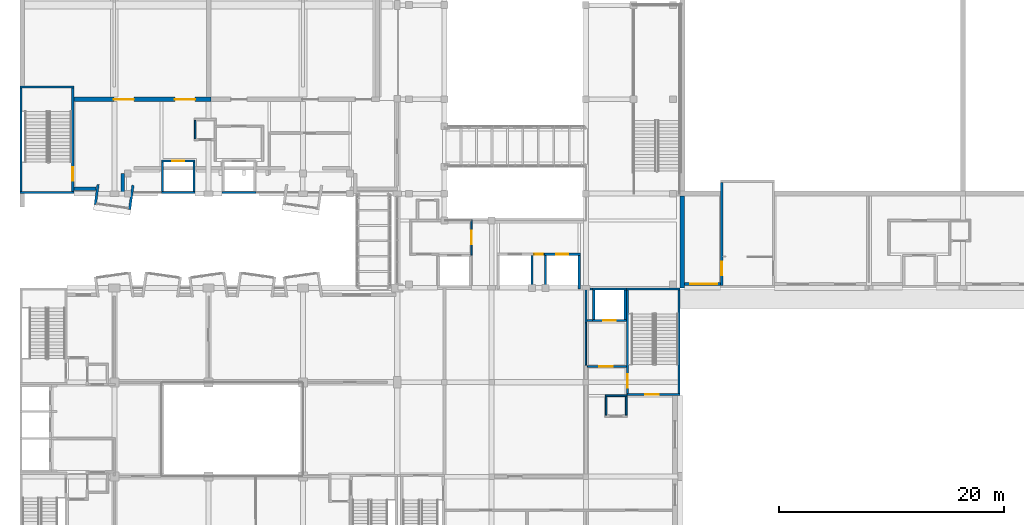
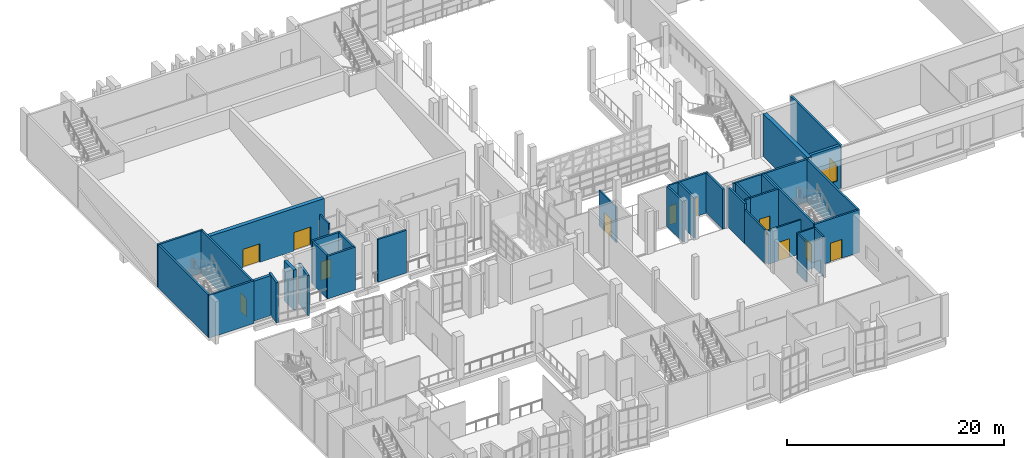
# One storey, part 44 of 86: 40 walls, 12 doors, 1 window, 13 openings.
"""IFC4 building model written with IfcOpenShell, lengths in metres."""

from ifc_helpers import new_model, si_unit, direction, frame, frame_2d, origin, place, context, subcontext, project, spatial, rectangle, extrude, material, layer, layer_set, type_object, element, fill, save


model = new_model("IFC4")

# Units and contexts
model_context = context("Model", 3, precision=1e-05, world=origin(), true_north=direction((0.0, 1.0)))
body_context = subcontext(model_context, "Body", "Model", "MODEL_VIEW")
ifc_project = project(units=[si_unit("LENGTHUNIT", "METRE"), si_unit("AREAUNIT", "SQUARE_METRE"), si_unit("VOLUMEUNIT", "CUBIC_METRE"), si_unit("PLANEANGLEUNIT", "RADIAN"), si_unit("MASSUNIT", "GRAM", prefix="KILO")], contexts=[model_context])

# Site, building, storey
site_placement = place(None, origin())
site = spatial("IfcSite", under=ifc_project, at=site_placement, CompositionType="ELEMENT")
building_placement = place(site_placement, origin())
building = spatial("IfcBuilding", under=site, at=building_placement, Name="Kiln Court Media Centre", CompositionType="ELEMENT")
storey_placement = place(building_placement, frame((0.0, 0.0, 10.199951171875)))
storey = spatial("IfcBuildingStorey", under=building, at=storey_placement, Name="L02", CompositionType="ELEMENT", Elevation=10.199951171875)

# Wall, opening, door
ifc_material_1 = material(Name="Concrete block masonry M7.5", Category="masonry")
ifc_layer_1 = layer(ifc_material_1, 0.14990234375)
ifc_layer_set_1 = layer_set([ifc_layer_1], Name="Block lobby wall 150 EI 120")
wall_type_1 = type_object("IfcWallType", Name="Block lobby wall 150 EI 120", PredefinedType="SOLIDWALL", material=ifc_layer_set_1)
wall_1_placement = place(storey_placement, frame((50.52490234375, 18.199951171875, 0.0), z_axis=(0.0, 0.0, 1.0), x_axis=(1.0, 0.0, 0.0)))
wall_1 = element("IfcWall", 1, at=wall_1_placement, inside=storey, type_object=wall_type_1, Name="L02 block lobby wall", PredefinedType="SOLIDWALL", context=body_context, shape_type="SweptSolid", body=[
    extrude(rectangle(XDim=3.47509765625, YDim=0.14990234375, at=frame_2d((1.737548828125, 0.0))), origin(), (0.0, 0.0, 1.0), 3.800048828125),
])
opening_1_placement = place(wall_1_placement, frame((1.074951171875, 0.0, 0.0)))
opening_1 = element("IfcOpeningElement", 2, at=opening_1_placement, cuts=wall_1, Name="Opening D2052", PredefinedType="OPENING", context=body_context, shape_type="SweptSolid", body=[
    extrude(rectangle(XDim=1.199951171875, YDim=2.10009765625, at=frame_2d((0.60009765625, 1.050048828125))), frame((0.0, 0.0849609375, 0.0), z_axis=(0.0, -1.0, 0.0), x_axis=(1.0, 0.0, 0.0)), (0.0, 0.0, 1.0), 0.169921875),
])
ifc_material_2 = material(Name="Steel S275", Category="steel")
door_type_1 = type_object("IfcDoorType", Name="Steel lobby door 1200 x 2100 FD120", OperationType="SINGLE_SWING_LEFT", PredefinedType="DOOR", material=ifc_material_2)
door_1_placement = place(opening_1_placement, origin())
door_1 = element("IfcDoor", 3, at=door_1_placement, inside=storey, type_object=door_type_1, Name="Stair 5 Lobby / Fire-fighting Lift Lobby", OperationType="SINGLE_SWING_RIGHT", OverallHeight=2.10009765625, OverallWidth=1.199951171875, PredefinedType="DOOR", context=body_context, shape_type="SweptSolid", body=[
    extrude(rectangle(XDim=1.199951171875, YDim=2.10009765625, at=frame_2d((0.60009765625, 1.050048828125))), frame((0.0, 0.02490234375, 0.0), z_axis=(0.0, -1.0, 0.0), x_axis=(1.0, 0.0, 0.0)), (0.0, 0.0, 1.0), 0.050048828125),
])
fill(opening_1, door_1)

wall_2_placement = place(storey_placement, frame((40.199951171875, 28.125, 0.0), z_axis=(0.0, 0.0, 1.0), x_axis=(0.0, 1.0, 0.0)))
wall_2 = element("IfcWall", 4, at=wall_2_placement, inside=storey, type_object=wall_type_1, Name="L02 block lobby wall", PredefinedType="SOLIDWALL", context=body_context, shape_type="SweptSolid", body=[
    extrude(rectangle(XDim=3.14990234375, YDim=0.14990234375, at=frame_2d((1.574951171875, 0.0))), origin(), (0.0, 0.0, 1.0), 4.0),
])
opening_2_placement = place(wall_2_placement, frame((0.97509765625, 0.0, 0.0)))
opening_2 = element("IfcOpeningElement", 5, at=opening_2_placement, cuts=wall_2, Name="Opening D2067", PredefinedType="OPENING", context=body_context, shape_type="SweptSolid", body=[
    extrude(rectangle(XDim=1.199951171875, YDim=2.10009765625, at=frame_2d((0.60009765625, 1.050048828125))), frame((0.0, 0.0849609375, 0.0), z_axis=(0.0, -1.0, 0.0), x_axis=(1.0, 0.0, 0.0)), (0.0, 0.0, 1.0), 0.169921875),
])
door_2_placement = place(opening_2_placement, origin())
door_2 = element("IfcDoor", 6, at=door_2_placement, inside=storey, type_object=door_type_1, Name="South Gallery Link / Fire-fighting Lift Lobby", OperationType="SINGLE_SWING_RIGHT", OverallHeight=2.10009765625, OverallWidth=1.199951171875, PredefinedType="DOOR", context=body_context, shape_type="SweptSolid", body=[
    extrude(rectangle(XDim=1.199951171875, YDim=2.10009765625, at=frame_2d((0.60009765625, 1.050048828125))), frame((0.0, 0.02490234375, 0.0), z_axis=(0.0, -1.0, 0.0), x_axis=(1.0, 0.0, 0.0)), (0.0, 0.0, 1.0), 0.050048828125),
])
fill(opening_2, door_2)

# Wall
wall_3_placement = place(storey_placement, frame((50.39990234375, 18.324951171875, 0.0), z_axis=(0.0, 0.0, 1.0), x_axis=(0.0, 1.0, 0.0)))
element("IfcWall", 7, at=wall_3_placement, inside=storey, type_object=wall_type_1, Name="L02 block lobby wall", PredefinedType="SOLIDWALL", context=body_context, shape_type="SweptSolid", body=[
    extrude(rectangle(XDim=3.775146484375, YDim=0.14990234375, at=frame_2d((1.8876953125, 0.0))), origin(), (0.0, 0.0, 1.0), 3.800048828125),
])

# Wall, opening, door
ifc_material_3 = material(Name="Concrete block masonry M10", Category="masonry")
ifc_layer_2 = layer(ifc_material_3, 0.14990234375)
ifc_layer_set_2 = layer_set([ifc_layer_2], Name="Block riser wall 150 EI 120")
wall_type_2 = type_object("IfcWallType", Name="Block riser wall 150 EI 120", PredefinedType="SOLIDWALL", material=ifc_layer_set_2)
wall_4_placement = place(storey_placement, frame((45.699951171875, 28.199951171875, 0.0), z_axis=(0.0, 0.0, 1.0), x_axis=(1.0, 0.0, 0.0)))
wall_4 = element("IfcWall", 8, at=wall_4_placement, inside=storey, type_object=wall_type_2, Name="L02 block riser wall", PredefinedType="SOLIDWALL", context=body_context, shape_type="SweptSolid", body=[
    extrude(rectangle(XDim=1.0, YDim=0.14990234375, at=frame_2d((0.5, 0.0))), origin(), (0.0, 0.0, 1.0), 4.5),
])
opening_3_placement = place(wall_4_placement, frame((0.10009765625, 0.0, 0.0)))
opening_3 = element("IfcOpeningElement", 9, at=opening_3_placement, cuts=wall_4, Name="Opening D2072", PredefinedType="OPENING", context=body_context, shape_type="SweptSolid", body=[
    extrude(rectangle(XDim=0.800048828125, YDim=2.10009765625, at=frame_2d((0.39990234375, 1.050048828125))), frame((0.0, 0.0849609375, 0.0), z_axis=(0.0, -1.0, 0.0), x_axis=(1.0, 0.0, 0.0)), (0.0, 0.0, 1.0), 0.169921875),
])
ifc_material_4 = material(Name="Steel S275", Category="steel")
door_type_2 = type_object("IfcDoorType", Name="Steel riser door 800 x 2100 FD90", OperationType="SINGLE_SWING_LEFT", PredefinedType="DOOR", material=ifc_material_4)
door_3_placement = place(opening_3_placement, origin())
door_3 = element("IfcDoor", 10, at=door_3_placement, inside=storey, type_object=door_type_2, Name="Riser / Glass Lift Landing", OperationType="SINGLE_SWING_RIGHT", OverallHeight=2.10009765625, OverallWidth=0.800048828125, PredefinedType="DOOR", context=body_context, shape_type="SweptSolid", body=[
    extrude(rectangle(XDim=0.800048828125, YDim=2.10009765625, at=frame_2d((0.39990234375, 1.050048828125))), frame((0.0, 0.02490234375, 0.0), z_axis=(0.0, -1.0, 0.0), x_axis=(1.0, 0.0, 0.0)), (0.0, 0.0, 1.0), 0.050048828125),
])
fill(opening_3, door_3)

# Walls
ifc_material_5 = material(Name="Brick masonry facing leaf with RC backing", Category="masonry")
ifc_layer_3 = layer(ifc_material_5, 0.215087890625)
ifc_layer_set_3 = layer_set([ifc_layer_3], Name="Brick masonry bay cheek wall 215")
wall_type_3 = type_object("IfcWallType", Name="Brick masonry bay cheek wall 215", PredefinedType="SOLIDWALL", material=ifc_layer_set_3)
wall_5_placement = place(storey_placement, frame((6.9560546875, 34.40869140625, 0.0), z_axis=(0.0, 0.0, 1.0), x_axis=(-0.13918000587, -0.990267098295, 0.0)))
element("IfcWall", 11, at=wall_5_placement, inside=storey, type_object=wall_type_3, Name="BAY V4-S-L02-10 cheek L", PredefinedType="SOLIDWALL", context=body_context, shape_type="SweptSolid", body=[
    extrude(rectangle(XDim=1.7998046875, YDim=0.215087890625, at=frame_2d((0.89990234375, 0.0))), origin(), (0.0, 0.0, 1.0), 4.5),
])
wall_6_placement = place(storey_placement, frame((10.0625, 34.344970703125, 0.0), z_axis=(0.0, 0.0, 1.0), x_axis=(-0.139230687381, -0.99025997379, 0.0)))
element("IfcWall", 12, at=wall_6_placement, inside=storey, type_object=wall_type_3, Name="BAY V4-S-L02-10 cheek R", PredefinedType="SOLIDWALL", context=body_context, shape_type="SweptSolid", body=[
    extrude(rectangle(XDim=2.169189453125, YDim=0.215087890625, at=frame_2d((1.08447265625, 0.0))), origin(), (0.0, 0.0, 1.0), 4.5),
])

# Wall, openings, doors
ifc_material_6 = material(Name="Concrete C40/50", Category="concrete")
ifc_layer_4 = layer(ifc_material_6, 0.39990234375)
ifc_layer_set_4 = layer_set([ifc_layer_4], Name="Concrete C40/50 auditorium wall 400")
wall_type_4 = type_object("IfcWallType", Name="Concrete C40/50 auditorium wall 400", PredefinedType="SHEAR", material=ifc_layer_set_4)
wall_7_placement = place(storey_placement, frame((17.0, 42.0, 0.0), z_axis=(0.0, 0.0, 1.0), x_axis=(-1.0, 0.0, 0.0)))
wall_7 = element("IfcWall", 13, at=wall_7_placement, inside=storey, type_object=wall_type_4, Name="L02-W-1118", PredefinedType="SHEAR", context=body_context, shape_type="SweptSolid", body=[
    extrude(rectangle(XDim=12.199951171875, YDim=0.39990234375, at=frame_2d((6.10009765625, 0.0))), origin(), (0.0, 0.0, 1.0), 4.800048828125),
])
opening_4_placement = place(wall_7_placement, frame((6.85009765625, 0.0, 0.0)))
opening_4 = element("IfcOpeningElement", 14, at=opening_4_placement, cuts=wall_7, Name="Opening D2033", PredefinedType="OPENING", context=body_context, shape_type="SweptSolid", body=[
    extrude(rectangle(XDim=1.800048828125, YDim=2.10009765625, at=frame_2d((0.89990234375, 1.050048828125))), frame((0.0, 0.2099609375, 0.0), z_axis=(0.0, -1.0, 0.0), x_axis=(1.0, 0.0, 0.0)), (0.0, 0.0, 1.0), 0.419921875),
])
opening_5_placement = place(wall_7_placement, frame((1.39990234375, 0.0, 0.0)))
opening_5 = element("IfcOpeningElement", 15, at=opening_5_placement, cuts=wall_7, Name="Opening D2077", PredefinedType="OPENING", context=body_context, shape_type="SweptSolid", body=[
    extrude(rectangle(XDim=1.800048828125, YDim=2.10009765625, at=frame_2d((0.89990234375, 1.050048828125))), frame((0.0, 0.2099609375, 0.0), z_axis=(0.0, -1.0, 0.0), x_axis=(1.0, 0.0, 0.0)), (0.0, 0.0, 1.0), 0.419921875),
])
ifc_material_7 = material(Name="Steel S275", Category="steel")
door_type_3 = type_object("IfcDoorType", Name="Acoustic cinema double door 1800 x 2100 FD180", OperationType="DOUBLE_DOOR_SINGLE_SWING", PredefinedType="DOOR", material=ifc_material_7)
door_4_placement = place(opening_4_placement, origin())
door_4 = element("IfcDoor", 16, at=door_4_placement, inside=storey, type_object=door_type_3, Name="Screening Foyer / Cinema Screen 5", OperationType="DOUBLE_DOOR_SINGLE_SWING", OverallHeight=2.10009765625, OverallWidth=1.800048828125, PredefinedType="DOOR", context=body_context, shape_type="SweptSolid", body=[
    extrude(rectangle(XDim=1.800048828125, YDim=2.10009765625, at=frame_2d((0.89990234375, 1.050048828125))), frame((0.0, 0.02490234375, 0.0), z_axis=(0.0, -1.0, 0.0), x_axis=(1.0, 0.0, 0.0)), (0.0, 0.0, 1.0), 0.050048828125),
])
fill(opening_4, door_4)
door_5_placement = place(opening_5_placement, origin())
door_5 = element("IfcDoor", 17, at=door_5_placement, inside=storey, type_object=door_type_3, Name="Cinema Lobby / Cinema Screen 5", OperationType="DOUBLE_DOOR_SINGLE_SWING", OverallHeight=2.10009765625, OverallWidth=1.800048828125, PredefinedType="DOOR", context=body_context, shape_type="SweptSolid", body=[
    extrude(rectangle(XDim=1.800048828125, YDim=2.10009765625, at=frame_2d((0.89990234375, 1.050048828125))), frame((0.0, 0.02490234375, 0.0), z_axis=(0.0, -1.0, 0.0), x_axis=(1.0, 0.0, 0.0)), (0.0, 0.0, 1.0), 0.050048828125),
])
fill(opening_5, door_5)

# Wall
wall_8_placement = place(storey_placement, frame((59.0, 25.199951171875, 0.0), z_axis=(0.0, 0.0, 1.0), x_axis=(0.0, 1.0, 0.0)))
element("IfcWall", 18, at=wall_8_placement, inside=storey, type_object=wall_type_4, Name="L02-W-1137", PredefinedType="SHEAR", context=body_context, shape_type="SweptSolid", body=[
    extrude(rectangle(XDim=8.175048828125, YDim=0.39990234375, at=frame_2d((4.08740234375, 0.0))), origin(), (0.0, 0.0, 1.0), 4.800048828125),
])

# Wall, opening, window
ifc_material_8 = material(Name="Concrete C40/50", Category="concrete")
ifc_layer_5 = layer(ifc_material_8, 0.300048828125)
ifc_layer_set_5 = layer_set([ifc_layer_5], Name="Concrete C40/50 board-marked facade wall 300")
wall_type_5 = type_object("IfcWallType", Name="Concrete C40/50 board-marked facade wall 300", PredefinedType="SOLIDWALL", material=ifc_layer_set_5)
wall_9_placement = place(storey_placement, frame((62.39990234375, 25.550048828125, 0.0), z_axis=(0.0, 0.0, 1.0), x_axis=(-1.0, 0.0, 0.0)))
wall_9 = element("IfcWall", 19, at=wall_9_placement, inside=storey, type_object=wall_type_5, Name="V1 S facade wall 4000", PredefinedType="SOLIDWALL", context=body_context, shape_type="SweptSolid", body=[
    extrude(rectangle(XDim=3.199951171875, YDim=0.300048828125, at=frame_2d((1.60009765625, 0.0))), origin(), (0.0, 0.0, 1.0), 4.800048828125),
])
opening_6_placement = place(wall_9_placement, frame((0.300048828125, 0.0, 0.89990234375)))
opening_6 = element("IfcOpeningElement", 20, at=opening_6_placement, cuts=wall_9, Name="Opening WN2500", PredefinedType="OPENING", context=body_context, shape_type="SweptSolid", body=[
    extrude(rectangle(XDim=2.39990234375, YDim=1.800048828125, at=frame_2d((1.199951171875, 0.89990234375))), frame((0.0, 0.159912109375, 0.0), z_axis=(0.0, -1.0, 0.0), x_axis=(1.0, 0.0, 0.0)), (0.0, 0.0, 1.0), 0.320068359375),
])
ifc_material_9 = material(Name="Aluminium 6063-T6", Category="aluminium")
window_type = type_object("IfcWindowType", Name="Aluminium lobby window 2400x1800", PartitioningType="TRIPLE_PANEL_VERTICAL", PredefinedType="WINDOW", material=ifc_material_9)
window_placement = place(opening_6_placement, origin())
window = element("IfcWindow", 21, at=window_placement, inside=storey, type_object=window_type, Name="V1 S circulation window", OverallHeight=1.800048828125, OverallWidth=2.39990234375, PartitioningType="SINGLE_PANEL", PredefinedType="WINDOW", context=body_context, shape_type="SweptSolid", body=[
    extrude(rectangle(XDim=2.39990234375, YDim=1.800048828125, at=frame_2d((1.199951171875, 0.89990234375))), frame((0.0, 0.030029296875, 0.0), z_axis=(0.0, -1.0, 0.0), x_axis=(1.0, 0.0, 0.0)), (0.0, 0.0, 1.0), 0.06005859375),
])
fill(opening_6, window)

# Walls
wall_10_placement = place(storey_placement, frame((6.7763671875, 34.050048828125, 0.0), z_axis=(0.0, 0.0, 1.0), x_axis=(-1.0, 0.0, 0.0)))
element("IfcWall", 22, at=wall_10_placement, inside=storey, type_object=wall_type_5, Name="V4 S facade wall 4004", PredefinedType="SOLIDWALL", context=body_context, shape_type="SweptSolid", body=[
    extrude(rectangle(XDim=1.976318359375, YDim=0.300048828125, at=frame_2d((0.98828125, 0.0))), origin(), (0.0, 0.0, 1.0), 4.5),
])
wall_11_placement = place(storey_placement, frame((9.14990234375, 35.39990234375, 0.0), z_axis=(0.0, 0.0, 1.0), x_axis=(0.0, -1.0, 0.0)))
element("IfcWall", 23, at=wall_11_placement, inside=storey, type_object=wall_type_5, Name="V4 E facade wall 4005", PredefinedType="SOLIDWALL", context=body_context, shape_type="SweptSolid", body=[
    extrude(rectangle(XDim=1.7998046875, YDim=0.300048828125, at=frame_2d((0.89990234375, 0.0))), origin(), (0.0, 0.0, 1.0), 4.5),
])

# Wall, opening, door
ifc_material_10 = material(Name="Concrete C40/50", Category="concrete")
ifc_layer_6 = layer(ifc_material_10, 0.199951171875)
ifc_layer_set_6 = layer_set([ifc_layer_6], Name="Concrete C40/50 lift shaft wall 200 EI 240")
wall_type_6 = type_object("IfcWallType", Name="Concrete C40/50 lift shaft wall 200 EI 240", PredefinedType="SHEAR", material=ifc_layer_set_6)
wall_12_placement = place(storey_placement, frame((46.699951171875, 28.199951171875, 0.0), z_axis=(0.0, 0.0, 1.0), x_axis=(1.0, 0.0, 0.0)))
wall_12 = element("IfcWall", 24, at=wall_12_placement, inside=storey, type_object=wall_type_6, Name="L02 concrete c40/50 lift shaft wall", PredefinedType="SHEAR", context=body_context, shape_type="SweptSolid", body=[
    extrude(rectangle(XDim=3.199951171875, YDim=0.199951171875, at=frame_2d((1.60009765625, 0.0))), origin(), (0.0, 0.0, 1.0), 4.5),
])
opening_7_placement = place(wall_12_placement, frame((1.050048828125, 0.0, 0.0)))
opening_7 = element("IfcOpeningElement", 25, at=opening_7_placement, cuts=wall_12, Name="Opening LD208", PredefinedType="OPENING", context=body_context, shape_type="SweptSolid", body=[
    extrude(rectangle(XDim=1.10009765625, YDim=2.10009765625, at=frame_2d((0.550048828125, 1.050048828125))), frame((0.0, 0.10986328125, 0.0), z_axis=(0.0, -1.0, 0.0), x_axis=(1.0, 0.0, 0.0)), (0.0, 0.0, 1.0), 0.219970703125),
])
ifc_material_11 = material(Name="Stainless steel", Category="steel")
door_type_4 = type_object("IfcDoorType", Name="Lift landing door 1100 x 2100 FD120", OperationType="SLIDING_TO_LEFT", PredefinedType="DOOR", material=ifc_material_11)
door_6_placement = place(opening_7_placement, origin())
door_6 = element("IfcDoor", 26, at=door_6_placement, inside=storey, type_object=door_type_4, Name="LF-08 landing door L02", OperationType="SLIDING_TO_LEFT", OverallHeight=2.10009765625, OverallWidth=1.10009765625, PredefinedType="DOOR", context=body_context, shape_type="SweptSolid", body=[
    extrude(rectangle(XDim=1.10009765625, YDim=2.10009765625, at=frame_2d((0.550048828125, 1.050048828125))), frame((0.0, 0.02490234375, 0.0), z_axis=(0.0, -1.0, 0.0), x_axis=(1.0, 0.0, 0.0)), (0.0, 0.0, 1.0), 0.050048828125),
])
fill(opening_7, door_6)

# Walls
for number, where, z_axis, x_axis, name in (
    (27, (45.60009765625, 25.10009765625, 0.0), (0.0, 0.0, 1.0), (0.0, 1.0, 0.0), "L02 concrete c40/50 lift shaft wall"),
    (28, (46.800048828125, 25.10009765625, 0.0), (0.0, 0.0, 1.0), (0.0, 1.0, 0.0), "L02 concrete c40/50 lift shaft wall"),
    (29, (49.800048828125, 25.10009765625, 0.0), (0.0, 0.0, 1.0), (0.0, 1.0, 0.0), "L02 concrete c40/50 lift shaft wall"),
):
    element("IfcWall", number, at=place(storey_placement, frame(where, z_axis=z_axis, x_axis=x_axis)), inside=storey, type_object=wall_type_6, Name=name, PredefinedType="SHEAR", context=body_context, shape_type="SweptSolid", body=[
        extrude(rectangle(XDim=3.0, YDim=0.199951171875, at=frame_2d((1.5, 0.0))), origin(), (0.0, 0.0, 1.0), 4.5),
    ])
wall_13_placement = place(storey_placement, frame((50.39990234375, 22.10009765625, 0.0), z_axis=(0.0, 0.0, 1.0), x_axis=(0.0, 1.0, 0.0)))
element("IfcWall", 30, at=wall_13_placement, inside=storey, type_object=wall_type_6, Name="L02 concrete c40/50 lift shaft wall", PredefinedType="SHEAR", context=body_context, shape_type="SweptSolid", body=[
    extrude(rectangle(XDim=3.199951171875, YDim=0.199951171875, at=frame_2d((1.60009765625, 0.0))), origin(), (0.0, 0.0, 1.0), 4.5),
])

# Wall, opening, door
ifc_material_12 = material(Name="Concrete C40/50", Category="concrete")
ifc_layer_7 = layer(ifc_material_12, 0.199951171875)
ifc_layer_set_7 = layer_set([ifc_layer_7], Name="Concrete C40/50 shear wall 200")
wall_type_7 = type_object("IfcWallType", Name="Concrete C40/50 shear wall 200", PredefinedType="SHEAR", material=ifc_layer_set_7)
wall_14_placement = place(storey_placement, frame((58.800048828125, 15.699951171875, 0.0), z_axis=(0.0, 0.0, 1.0), x_axis=(-1.0, 0.0, 0.0)))
wall_14 = element("IfcWall", 31, at=wall_14_placement, inside=storey, type_object=wall_type_7, Name="L02-W-1016", PredefinedType="SHEAR", context=body_context, shape_type="SweptSolid", body=[
    extrude(rectangle(XDim=4.800048828125, YDim=0.199951171875, at=frame_2d((2.39990234375, 0.0))), origin(), (0.0, 0.0, 1.0), 4.800048828125),
])
opening_8_placement = place(wall_14_placement, frame((1.89990234375, 0.0, 0.0)))
opening_8 = element("IfcOpeningElement", 32, at=opening_8_placement, cuts=wall_14, Name="Opening D2019", PredefinedType="OPENING", context=body_context, shape_type="SweptSolid", body=[
    extrude(rectangle(XDim=1.199951171875, YDim=2.10009765625, at=frame_2d((0.60009765625, 1.050048828125))), frame((0.0, 0.10986328125, 0.0), z_axis=(0.0, -1.0, 0.0), x_axis=(1.0, 0.0, 0.0)), (0.0, 0.0, 1.0), 0.219970703125),
])
ifc_material_13 = material(Name="Steel S275", Category="steel")
door_type_5 = type_object("IfcDoorType", Name="Steel stair door 1200 x 2100 FD180", OperationType="SINGLE_SWING_LEFT", PredefinedType="DOOR", material=ifc_material_13)
door_7_placement = place(opening_8_placement, origin())
door_7 = element("IfcDoor", 33, at=door_7_placement, inside=storey, type_object=door_type_5, Name="Screening Foyer / Stair 5", OperationType="SINGLE_SWING_LEFT", OverallHeight=2.10009765625, OverallWidth=1.199951171875, PredefinedType="DOOR", context=body_context, shape_type="SweptSolid", body=[
    extrude(rectangle(XDim=1.199951171875, YDim=2.10009765625, at=frame_2d((0.60009765625, 1.050048828125))), frame((0.0, 0.02490234375, 0.0), z_axis=(0.0, -1.0, 0.0), x_axis=(1.0, 0.0, 0.0)), (0.0, 0.0, 1.0), 0.050048828125),
])
fill(opening_8, door_7)

# Wall
wall_15_placement = place(storey_placement, frame((54.0, 25.10009765625, 0.0), z_axis=(0.0, 0.0, 1.0), x_axis=(1.0, 0.0, 0.0)))
element("IfcWall", 34, at=wall_15_placement, inside=storey, type_object=wall_type_7, Name="L02-W-1017", PredefinedType="SHEAR", context=body_context, shape_type="SweptSolid", body=[
    extrude(rectangle(XDim=4.800048828125, YDim=0.199951171875, at=frame_2d((2.39990234375, 0.0))), origin(), (0.0, 0.0, 1.0), 4.800048828125),
])

# Wall, opening, door
wall_16_placement = place(storey_placement, frame((54.10009765625, 15.800048828125, 0.0), z_axis=(0.0, 0.0, 1.0), x_axis=(0.0, 1.0, 0.0)))
wall_16 = element("IfcWall", 35, at=wall_16_placement, inside=storey, type_object=wall_type_7, Name="L02-W-1018", PredefinedType="SHEAR", context=body_context, shape_type="SweptSolid", body=[
    extrude(rectangle(XDim=9.199951171875, YDim=0.199951171875, at=frame_2d((4.60009765625, 0.0))), origin(), (0.0, 0.0, 1.0), 4.800048828125),
])
opening_9_placement = place(wall_16_placement, frame((0.5, 0.0, 0.0)))
opening_9 = element("IfcOpeningElement", 36, at=opening_9_placement, cuts=wall_16, Name="Opening D2020", PredefinedType="OPENING", context=body_context, shape_type="SweptSolid", body=[
    extrude(rectangle(XDim=1.199951171875, YDim=2.10009765625, at=frame_2d((0.60009765625, 1.050048828125))), frame((0.0, 0.10986328125, 0.0), z_axis=(0.0, -1.0, 0.0), x_axis=(1.0, 0.0, 0.0)), (0.0, 0.0, 1.0), 0.219970703125),
])
door_8_placement = place(opening_9_placement, origin())
door_8 = element("IfcDoor", 37, at=door_8_placement, inside=storey, type_object=door_type_5, Name="Stair 5 Lobby / Stair 5", OperationType="SINGLE_SWING_LEFT", OverallHeight=2.10009765625, OverallWidth=1.199951171875, PredefinedType="DOOR", context=body_context, shape_type="SweptSolid", body=[
    extrude(rectangle(XDim=1.199951171875, YDim=2.10009765625, at=frame_2d((0.60009765625, 1.050048828125))), frame((0.0, 0.02490234375, 0.0), z_axis=(0.0, -1.0, 0.0), x_axis=(1.0, 0.0, 0.0)), (0.0, 0.0, 1.0), 0.050048828125),
])
fill(opening_9, door_8)

# Walls
wall_17_placement = place(storey_placement, frame((58.699951171875, 25.0, 0.0), z_axis=(0.0, 0.0, 1.0), x_axis=(0.0, -1.0, 0.0)))
element("IfcWall", 38, at=wall_17_placement, inside=storey, type_object=wall_type_7, Name="L02-W-1019", PredefinedType="SHEAR", context=body_context, shape_type="SweptSolid", body=[
    extrude(rectangle(XDim=9.199951171875, YDim=0.199951171875, at=frame_2d((4.60009765625, 0.0))), origin(), (0.0, 0.0, 1.0), 4.800048828125),
])
for number, where, z_axis, x_axis, name in (
    (39, (4.800048828125, 33.699951171875, 0.0), (0.0, 0.0, 1.0), (-1.0, 0.0, 0.0), "L02-W-1020"),
    (40, (0.00048828125, 43.10009765625, 0.0), (0.0, 0.0, 1.0), (1.0, 0.0, 0.0), "L02-W-1021"),
):
    element("IfcWall", number, at=place(storey_placement, frame(where, z_axis=z_axis, x_axis=x_axis)), inside=storey, type_object=wall_type_7, Name=name, PredefinedType="SHEAR", context=body_context, shape_type="SweptSolid", body=[
        extrude(rectangle(XDim=4.799560546875, YDim=0.199951171875, at=frame_2d((2.39990234375, 0.0))), origin(), (0.0, 0.0, 1.0), 4.800048828125),
    ])
wall_18_placement = place(storey_placement, frame((0.100341796875, 33.800048828125, 0.0), z_axis=(0.0, 0.0, 1.0), x_axis=(0.0, 1.0, 0.0)))
element("IfcWall", 41, at=wall_18_placement, inside=storey, type_object=wall_type_7, Name="L02-W-1022", PredefinedType="SHEAR", context=body_context, shape_type="SweptSolid", body=[
    extrude(rectangle(XDim=9.199951171875, YDim=0.199951171875, at=frame_2d((4.60009765625, 0.0))), origin(), (0.0, 0.0, 1.0), 4.800048828125),
])

# Wall, opening, door
wall_19_placement = place(storey_placement, frame((4.699951171875, 43.0, 0.0), z_axis=(0.0, 0.0, 1.0), x_axis=(0.0, -1.0, 0.0)))
wall_19 = element("IfcWall", 42, at=wall_19_placement, inside=storey, type_object=wall_type_7, Name="L02-W-1023", PredefinedType="SHEAR", context=body_context, shape_type="SweptSolid", body=[
    extrude(rectangle(XDim=9.199951171875, YDim=0.199951171875, at=frame_2d((4.60009765625, 0.0))), origin(), (0.0, 0.0, 1.0), 4.800048828125),
])
opening_10_placement = place(wall_19_placement, frame((7.050048828125, 0.0, 0.0)))
opening_10 = element("IfcOpeningElement", 43, at=opening_10_placement, cuts=wall_19, Name="Opening D2008", PredefinedType="OPENING", context=body_context, shape_type="SweptSolid", body=[
    extrude(rectangle(XDim=1.199951171875, YDim=2.10009765625, at=frame_2d((0.60009765625, 1.050048828125))), frame((0.0, 0.10986328125, 0.0), z_axis=(0.0, -1.0, 0.0), x_axis=(1.0, 0.0, 0.0)), (0.0, 0.0, 1.0), 0.219970703125),
])
door_9_placement = place(opening_10_placement, origin())
door_9 = element("IfcDoor", 44, at=door_9_placement, inside=storey, type_object=door_type_5, Name="Stair 6 / Screening Foyer", OperationType="SINGLE_SWING_LEFT", OverallHeight=2.10009765625, OverallWidth=1.199951171875, PredefinedType="DOOR", context=body_context, shape_type="SweptSolid", body=[
    extrude(rectangle(XDim=1.199951171875, YDim=2.10009765625, at=frame_2d((0.60009765625, 1.050048828125))), frame((0.0, 0.02490234375, 0.0), z_axis=(0.0, -1.0, 0.0), x_axis=(1.0, 0.0, 0.0)), (0.0, 0.0, 1.0), 0.050048828125),
])
fill(opening_10, door_9)

wall_20_placement = place(storey_placement, frame((62.5, 25.39990234375, 0.0), z_axis=(0.0, 0.0, 1.0), x_axis=(0.0, 1.0, 0.0)))
wall_20 = element("IfcWall", 45, at=wall_20_placement, inside=storey, type_object=wall_type_7, Name="L02-W-1034", PredefinedType="SHEAR", context=body_context, shape_type="SweptSolid", body=[
    extrude(rectangle(XDim=9.2001953125, YDim=0.199951171875, at=frame_2d((4.60009765625, 0.0))), origin(), (0.0, 0.0, 1.0), 4.800048828125),
])
opening_11_placement = place(wall_20_placement, frame((0.9501953125, 0.0, 0.0)))
opening_11 = element("IfcOpeningElement", 46, at=opening_11_placement, cuts=wall_20, Name="Opening D2001", PredefinedType="OPENING", context=body_context, shape_type="SweptSolid", body=[
    extrude(rectangle(XDim=1.199951171875, YDim=2.10009765625, at=frame_2d((0.60009765625, 1.050048828125))), frame((0.0, 0.10986328125, 0.0), z_axis=(0.0, -1.0, 0.0), x_axis=(1.0, 0.0, 0.0)), (0.0, 0.0, 1.0), 0.219970703125),
])
door_10_placement = place(opening_11_placement, origin())
door_10 = element("IfcDoor", 47, at=door_10_placement, inside=storey, type_object=door_type_5, Name="Foyer Link / Stair 9", OperationType="SINGLE_SWING_LEFT", OverallHeight=2.10009765625, OverallWidth=1.199951171875, PredefinedType="DOOR", context=body_context, shape_type="SweptSolid", body=[
    extrude(rectangle(XDim=1.199951171875, YDim=2.10009765625, at=frame_2d((0.60009765625, 1.050048828125))), frame((0.0, 0.02490234375, 0.0), z_axis=(0.0, -1.0, 0.0), x_axis=(1.0, 0.0, 0.0)), (0.0, 0.0, 1.0), 0.050048828125),
])
fill(opening_11, door_10)

wall_21_placement = place(storey_placement, frame((54.0, 22.300048828125, 0.0), z_axis=(0.0, 0.0, 1.0), x_axis=(-1.0, 0.0, 0.0)))
wall_21 = element("IfcWall", 48, at=wall_21_placement, inside=storey, type_object=wall_type_7, Name="L02-W-1078", PredefinedType="SHEAR", context=body_context, shape_type="SweptSolid", body=[
    extrude(rectangle(XDim=3.0, YDim=0.199951171875, at=frame_2d((1.5, 0.0))), origin(), (0.0, 0.0, 1.0), 4.800048828125),
])
opening_12_placement = place(wall_21_placement, frame((0.949951171875, 0.0, 0.0)))
opening_12 = element("IfcOpeningElement", 49, at=opening_12_placement, cuts=wall_21, Name="Opening LD204", PredefinedType="OPENING", context=body_context, shape_type="SweptSolid", body=[
    extrude(rectangle(XDim=1.10009765625, YDim=2.10009765625, at=frame_2d((0.550048828125, 1.050048828125))), frame((0.0, 0.10986328125, 0.0), z_axis=(0.0, -1.0, 0.0), x_axis=(1.0, 0.0, 0.0)), (0.0, 0.0, 1.0), 0.219970703125),
])
ifc_material_14 = material(Name="Stainless steel", Category="steel")
door_type_6 = type_object("IfcDoorType", Name="Firefighting lift landing door 1100 x 2100 FD120", OperationType="SLIDING_TO_LEFT", PredefinedType="DOOR", material=ifc_material_14)
door_11_placement = place(opening_12_placement, origin())
door_11 = element("IfcDoor", 50, at=door_11_placement, inside=storey, type_object=door_type_6, Name="LF-04 landing door L02", OperationType="SLIDING_TO_LEFT", OverallHeight=2.10009765625, OverallWidth=1.10009765625, PredefinedType="DOOR", context=body_context, shape_type="SweptSolid", body=[
    extrude(rectangle(XDim=1.10009765625, YDim=2.10009765625, at=frame_2d((0.550048828125, 1.050048828125))), frame((0.0, 0.02490234375, 0.0), z_axis=(0.0, -1.0, 0.0), x_axis=(1.0, 0.0, 0.0)), (0.0, 0.0, 1.0), 0.050048828125),
])
fill(opening_12, door_11)

# Walls
wall_22_placement = place(storey_placement, frame((51.0, 25.10009765625, 0.0), z_axis=(0.0, 0.0, 1.0), x_axis=(1.0, 0.0, 0.0)))
element("IfcWall", 51, at=wall_22_placement, inside=storey, type_object=wall_type_7, Name="L02-W-1079", PredefinedType="SHEAR", context=body_context, shape_type="SweptSolid", body=[
    extrude(rectangle(XDim=3.0, YDim=0.199951171875, at=frame_2d((1.5, 0.0))), origin(), (0.0, 0.0, 1.0), 4.800048828125),
])
for number, where, z_axis, x_axis, name in (
    (52, (51.10009765625, 22.39990234375, 0.0), (0.0, 0.0, 1.0), (0.0, 1.0, 0.0), "L02-W-1080"),
    (53, (53.89990234375, 25.0, 0.0), (0.0, 0.0, 1.0), (0.0, -1.0, 0.0), "L02-W-1081"),
):
    element("IfcWall", number, at=place(storey_placement, frame(where, z_axis=z_axis, x_axis=x_axis)), inside=storey, type_object=wall_type_7, Name=name, PredefinedType="SHEAR", context=body_context, shape_type="SweptSolid", body=[
        extrude(rectangle(XDim=2.60009765625, YDim=0.199951171875, at=frame_2d((1.300048828125, 0.0))), origin(), (0.0, 0.0, 1.0), 4.800048828125),
    ])
wall_23_placement = place(storey_placement, frame((15.60009765625, 33.699951171875, 0.0), z_axis=(0.0, 0.0, 1.0), x_axis=(-1.0, 0.0, 0.0)))
element("IfcWall", 54, at=wall_23_placement, inside=storey, type_object=wall_type_7, Name="L02-W-1082", PredefinedType="SHEAR", context=body_context, shape_type="SweptSolid", body=[
    extrude(rectangle(XDim=3.0, YDim=0.199951171875, at=frame_2d((1.5, 0.0))), origin(), (0.0, 0.0, 1.0), 4.800048828125),
])

# Wall, opening, door
wall_24_placement = place(storey_placement, frame((12.60009765625, 36.5, 0.0), z_axis=(0.0, 0.0, 1.0), x_axis=(1.0, 0.0, 0.0)))
wall_24 = element("IfcWall", 55, at=wall_24_placement, inside=storey, type_object=wall_type_7, Name="L02-W-1083", PredefinedType="SHEAR", context=body_context, shape_type="SweptSolid", body=[
    extrude(rectangle(XDim=3.0, YDim=0.199951171875, at=frame_2d((1.5, 0.0))), origin(), (0.0, 0.0, 1.0), 4.800048828125),
])
opening_13_placement = place(wall_24_placement, frame((0.949951171875, 0.0, 0.0)))
opening_13 = element("IfcOpeningElement", 56, at=opening_13_placement, cuts=wall_24, Name="Opening LD205", PredefinedType="OPENING", context=body_context, shape_type="SweptSolid", body=[
    extrude(rectangle(XDim=1.10009765625, YDim=2.10009765625, at=frame_2d((0.550048828125, 1.050048828125))), frame((0.0, 0.10986328125, 0.0), z_axis=(0.0, -1.0, 0.0), x_axis=(1.0, 0.0, 0.0)), (0.0, 0.0, 1.0), 0.219970703125),
])
door_12_placement = place(opening_13_placement, origin())
door_12 = element("IfcDoor", 57, at=door_12_placement, inside=storey, type_object=door_type_4, Name="LF-05 landing door L02", OperationType="SLIDING_TO_LEFT", OverallHeight=2.10009765625, OverallWidth=1.10009765625, PredefinedType="DOOR", context=body_context, shape_type="SweptSolid", body=[
    extrude(rectangle(XDim=1.10009765625, YDim=2.10009765625, at=frame_2d((0.550048828125, 1.050048828125))), frame((0.0, 0.02490234375, 0.0), z_axis=(0.0, -1.0, 0.0), x_axis=(1.0, 0.0, 0.0)), (0.0, 0.0, 1.0), 0.050048828125),
])
fill(opening_13, door_12)

# Walls
for number, where, z_axis, x_axis, name in (
    (58, (12.699951171875, 33.800048828125, 0.0), (0.0, 0.0, 1.0), (0.0, 1.0, 0.0), "L02-W-1084"),
    (59, (15.5, 36.39990234375, 0.0), (0.0, 0.0, 1.0), (0.0, -1.0, 0.0), "L02-W-1085"),
):
    element("IfcWall", number, at=place(storey_placement, frame(where, z_axis=z_axis, x_axis=x_axis)), inside=storey, type_object=wall_type_7, Name=name, PredefinedType="SHEAR", context=body_context, shape_type="SweptSolid", body=[
        extrude(rectangle(XDim=2.599853515625, YDim=0.199951171875, at=frame_2d((1.2998046875, 0.0))), origin(), (0.0, 0.0, 1.0), 4.800048828125),
    ])
wall_25_placement = place(storey_placement, frame((21.0, 33.699951171875, 0.0), z_axis=(0.0, 0.0, 1.0), x_axis=(-1.0, 0.0, 0.0)))
element("IfcWall", 60, at=wall_25_placement, inside=storey, type_object=wall_type_7, Name="L02-W-1086", PredefinedType="SHEAR", context=body_context, shape_type="SweptSolid", body=[
    extrude(rectangle(XDim=3.0, YDim=0.199951171875, at=frame_2d((1.5, 0.0))), origin(), (0.0, 0.0, 1.0), 4.800048828125),
])
wall_26_placement = place(storey_placement, frame((51.0, 22.300048828125, 0.0), z_axis=(0.0, 0.0, 1.0), x_axis=(-1.0, 0.0, 0.0)))
element("IfcWall", 61, at=wall_26_placement, inside=storey, type_object=wall_type_7, Name="L02-W-1151", PredefinedType="SHEAR", context=body_context, shape_type="SweptSolid", body=[
    extrude(rectangle(XDim=0.5, YDim=0.199951171875, at=frame_2d((0.25, 0.0))), origin(), (0.0, 0.0, 1.0), 4.800048828125),
])
wall_27_placement = place(storey_placement, frame((50.75, 25.10009765625, 0.0), z_axis=(0.0, 0.0, 1.0), x_axis=(1.0, 0.0, 0.0)))
element("IfcWall", 62, at=wall_27_placement, inside=storey, type_object=wall_type_7, Name="L02-W-1152", PredefinedType="SHEAR", context=body_context, shape_type="SweptSolid", body=[
    extrude(rectangle(XDim=0.25, YDim=0.199951171875, at=frame_2d((0.125, 0.0))), origin(), (0.0, 0.0, 1.0), 4.800048828125),
])
ifc_material_15 = material(Name="Gypsum plasterboard", Category="gypsum")
ifc_layer_8 = layer(ifc_material_15, 0.14990234375)
ifc_layer_set_8 = layer_set([ifc_layer_8], Name="Gypsum corridor partition 150 EI 60")
wall_type_8 = type_object("IfcWallType", Name="Gypsum corridor partition 150 EI 60", PredefinedType="PARTITIONING", material=ifc_layer_set_8)
wall_28_placement = place(storey_placement, frame((52.125, 15.60009765625, 0.0), z_axis=(0.0, 0.0, 1.0), x_axis=(1.0, 0.0, 0.0)))
element("IfcWall", 63, at=wall_28_placement, inside=storey, type_object=wall_type_8, Name="L02 gypsum corridor partition", PredefinedType="PARTITIONING", context=body_context, shape_type="SweptSolid", body=[
    extrude(rectangle(XDim=1.949951171875, YDim=0.14990234375, at=frame_2d((0.97509765625, 0.0))), origin(), (0.0, 0.0, 1.0), 4.5),
])
for number, where, z_axis, x_axis, name in (
    (64, (15.60009765625, 38.47509765625, 0.0), (0.0, 0.0, 1.0), (0.0, 1.0, 0.0), "L02 gypsum corridor partition"),
    (65, (52.199951171875, 13.875, 0.0), (0.0, 0.0, 1.0), (0.0, 1.0, 0.0), "L02 gypsum corridor partition"),
    (66, (54.0, 13.875, 0.0), (0.0, 0.0, 1.0), (0.0, 1.0, 0.0), "L02 gypsum corridor partition"),
):
    element("IfcWall", number, at=place(storey_placement, frame(where, z_axis=z_axis, x_axis=x_axis)), inside=storey, type_object=wall_type_8, Name=name, PredefinedType="PARTITIONING", context=body_context, shape_type="SweptSolid", body=[
        extrude(rectangle(XDim=1.64990234375, YDim=0.14990234375, at=frame_2d((0.824951171875, 0.0))), origin(), (0.0, 0.0, 1.0), 4.5),
    ])

save(model, "model.ifc")
